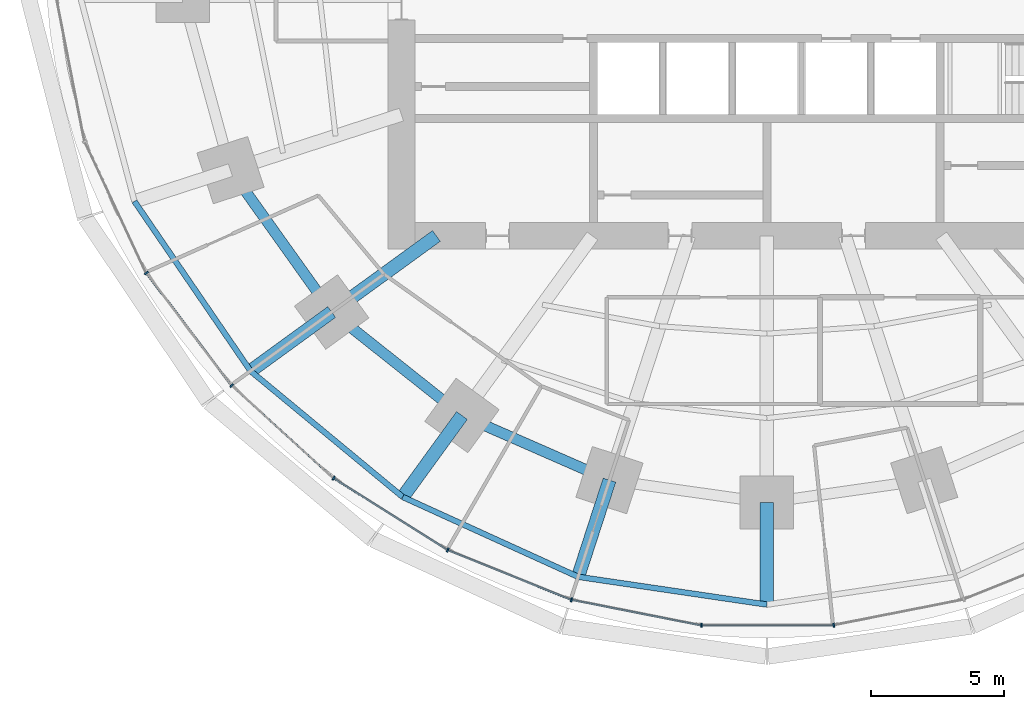
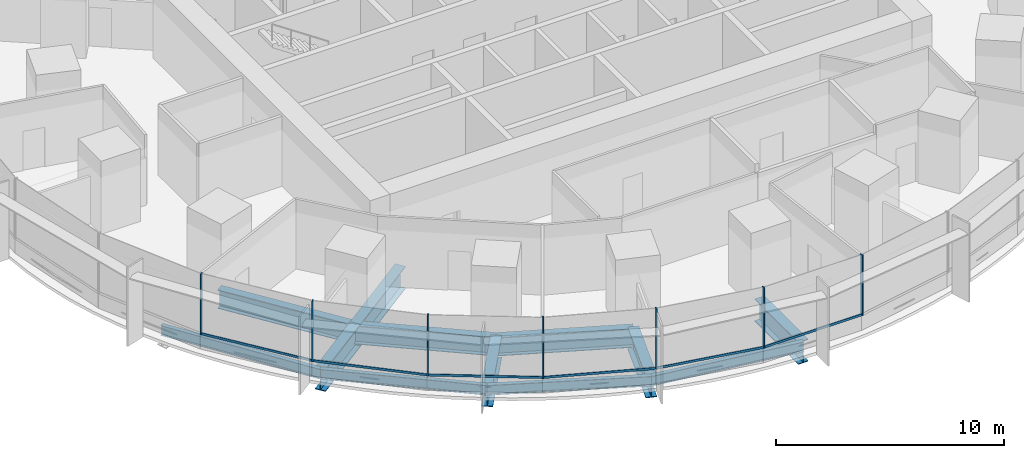
# One storey, part 2 of 15: 13 members, 12 beams, 2 elements without a shape of their own.
"""IFC4 building model written with IfcOpenShell, lengths in metres."""

from ifc_helpers import new_model, si_unit, direction, frame, origin, origin_2d, place, context, subcontext, project, spatial, rectangle, i_section, extrude, material, material_profile, profile_set, type_object, element, aggregate, save


model = new_model("IFC4")

# Units and contexts
model_context = context("Model", 3, precision=1e-05, world=origin(), true_north=direction((0.0, 1.0)))
body_context = subcontext(model_context, "Body", "Model", "MODEL_VIEW")
ifc_project = project(units=[si_unit("LENGTHUNIT", "METRE"), si_unit("AREAUNIT", "SQUARE_METRE"), si_unit("VOLUMEUNIT", "CUBIC_METRE"), si_unit("PLANEANGLEUNIT", "RADIAN"), si_unit("MASSUNIT", "GRAM", prefix="KILO")], contexts=[model_context])

# Site, building, storey
site_placement = place(None, origin())
site = spatial("IfcSite", under=ifc_project, at=site_placement, CompositionType="ELEMENT")
building_placement = place(site_placement, origin())
building = spatial("IfcBuilding", under=site, at=building_placement, Name="Marramba Exchange Tower", CompositionType="ELEMENT")
storey_placement = place(building_placement, frame((0.0, 0.0, 61.60009765625)))
storey = spatial("IfcBuildingStorey", under=building, at=storey_placement, Name="L14", CompositionType="ELEMENT", Elevation=61.60009765625)

# Beams
ifc_material_1 = material(Name="Steel AS/NZS 3679.2 grade 300", Category="steel")
ifc_material_profile_1 = material_profile(ifc_material_1, i_section(OverallWidth=0.5, OverallDepth=1.199951171875, WebThickness=0.01611328125, FlangeThickness=0.0400390625, at=origin_2d()), Name="1200WB455")
ifc_profile_set_1 = profile_set([ifc_material_profile_1], Name="Steel AS/NZS 3679.2 grade 300")
beam_type_1 = type_object("IfcBeamType", Name="Cantilever girder 1200WB455", PredefinedType="BEAM", material=ifc_profile_set_1)
beam_1_placement = place(storey_placement, frame((-16.3154296875, -11.853759765625, -0.760009765625), z_axis=(-0.809008346081, -0.587797155463, 0.0), x_axis=(0.587797155463, -0.809008346081, 0.0)))
element("IfcBeam", 1, at=beam_1_placement, inside=storey, type_object=beam_type_1, Name="Cantilever girder L14 TC13", PredefinedType="BEAM", context=body_context, shape_type="SweptSolid", body=[
    extrude(i_section(OverallWidth=0.5, OverallDepth=1.199951171875, WebThickness=0.01611328125, FlangeThickness=0.0400390625, at=origin_2d()), origin(), (0.0, 0.0, 1.0), 3.76025390625),
])
beam_2_placement = place(storey_placement, frame((-11.430419921875, -15.732666015625, -0.760009765625), z_axis=(-0.587787232741, -0.809015555491, 0.0), x_axis=(0.809015555491, -0.587787232741, 0.0)))
element("IfcBeam", 2, at=beam_2_placement, inside=storey, type_object=beam_type_1, Name="Cantilever girder L14 TC14", PredefinedType="BEAM", context=body_context, shape_type="SweptSolid", body=[
    extrude(i_section(OverallWidth=0.5, OverallDepth=1.199951171875, WebThickness=0.01611328125, FlangeThickness=0.0400390625, at=origin_2d()), origin(), (0.0, 0.0, 1.0), 3.7763671875),
])
beam_3_placement = place(storey_placement, frame((-5.899658203125, -18.156982421875, -0.760009765625), z_axis=(-0.309009272901, -0.951059025119, 0.0), x_axis=(0.951059025119, -0.309009272901, 0.0)))
element("IfcBeam", 3, at=beam_3_placement, inside=storey, type_object=beam_type_1, Name="Cantilever girder L14 TC15", PredefinedType="BEAM", context=body_context, shape_type="SweptSolid", body=[
    extrude(i_section(OverallWidth=0.5, OverallDepth=1.199951171875, WebThickness=0.01611328125, FlangeThickness=0.0400390625, at=origin_2d()), origin(), (0.0, 0.0, 1.0), 3.809814453125),
])
beam_4_placement = place(storey_placement, frame((0.0, -18.99609375, -0.760009765625), z_axis=(0.0, -1.0, 0.0), x_axis=(1.0, 0.0, 0.0)))
element("IfcBeam", 4, at=beam_4_placement, inside=storey, type_object=beam_type_1, Name="Cantilever girder L14 TC16", PredefinedType="BEAM", context=body_context, shape_type="SweptSolid", body=[
    extrude(i_section(OverallWidth=0.5, OverallDepth=1.199951171875, WebThickness=0.01611328125, FlangeThickness=0.0400390625, at=origin_2d()), origin(), (0.0, 0.0, 1.0), 3.825927734375),
])
ifc_material_profile_2 = material_profile(ifc_material_1, i_section(OverallWidth=0.5, OverallDepth=1.199951171875, WebThickness=0.01611328125, FlangeThickness=0.0400390625, at=origin_2d()), Name="1200WB455")
ifc_profile_set_2 = profile_set([ifc_material_profile_2], Name="Steel AS/NZS 3679.2 grade 300")
beam_type_2 = type_object("IfcBeamType", Name="Radial girder 1200WB455", PredefinedType="BEAM", material=ifc_profile_set_2)
beam_5_placement = place(storey_placement, frame((-12.387451171875, -9.0, -0.760009765625), z_axis=(-0.809025189606, -0.58777397236, 0.0), x_axis=(0.58777397236, -0.809025189606, 0.0)))
element("IfcBeam", 5, at=beam_5_placement, inside=storey, type_object=beam_type_2, Name="Radial girder L14 TC13", PredefinedType="BEAM", context=body_context, shape_type="SweptSolid", body=[
    extrude(i_section(OverallWidth=0.5, OverallDepth=1.199951171875, WebThickness=0.01611328125, FlangeThickness=0.0400390625, at=origin_2d()), origin(), (0.0, 0.0, 1.0), 4.855224609375),
])
ifc_material_profile_3 = material_profile(ifc_material_1, i_section(OverallWidth=0.39990234375, OverallDepth=1.0, WebThickness=0.01611328125, FlangeThickness=0.031982421875, at=origin_2d()), Name="1000WB322")
ifc_profile_set_3 = profile_set([ifc_material_profile_3], Name="Steel AS/NZS 3679.2 grade 300")
beam_type_3 = type_object("IfcBeamType", Name="Ring beam 1000WB322", PredefinedType="SPANDREL", material=ifc_profile_set_3)
beam_6_placement = place(storey_placement, frame((-20.109375, -6.533935546875, -0.66015625), z_axis=(0.580637181111, -0.814162430914, 0.0), x_axis=(0.814162430914, 0.580637181111, 0.0)))
element("IfcBeam", 6, at=beam_6_placement, inside=storey, type_object=beam_type_3, Name="Ring beam L14 TC12-TC13", PredefinedType="SPANDREL", context=body_context, shape_type="SweptSolid", body=[
    extrude(i_section(OverallWidth=0.39990234375, OverallDepth=1.0, WebThickness=0.01611328125, FlangeThickness=0.031982421875, at=origin_2d()), origin(), (0.0, 0.0, 1.0), 6.5341796875),
])
beam_7_placement = place(storey_placement, frame((-16.3154296875, -11.853759765625, -0.66015625), z_axis=(0.783139438128, -0.621846138887, 0.0), x_axis=(0.621846138887, 0.783139438128, 0.0)))
element("IfcBeam", 7, at=beam_7_placement, inside=storey, type_object=beam_type_3, Name="Ring beam L14 TC13-TC14", PredefinedType="SPANDREL", context=body_context, shape_type="SweptSolid", body=[
    extrude(i_section(OverallWidth=0.39990234375, OverallDepth=1.0, WebThickness=0.01611328125, FlangeThickness=0.031982421875, at=origin_2d()), origin(), (0.0, 0.0, 1.0), 6.23779296875),
])
beam_8_placement = place(storey_placement, frame((-11.430419921875, -15.732666015625, -0.66015625), z_axis=(0.915876892158, -0.4014592363, 0.0), x_axis=(0.4014592363, 0.915876892158, 0.0)))
element("IfcBeam", 8, at=beam_8_placement, inside=storey, type_object=beam_type_3, Name="Ring beam L14 TC14-TC15", PredefinedType="SPANDREL", context=body_context, shape_type="SweptSolid", body=[
    extrude(i_section(OverallWidth=0.39990234375, OverallDepth=1.0, WebThickness=0.01611328125, FlangeThickness=0.031982421875, at=origin_2d()), origin(), (0.0, 0.0, 1.0), 6.038818359375),
])
ifc_material_2 = material(Name="Steel AS/NZS 3679.1 grade 300", Category="steel")
ifc_material_profile_4 = material_profile(ifc_material_2, i_section(OverallWidth=0.208984375, OverallDepth=0.528076171875, WebThickness=0.009521484375, FlangeThickness=0.01318359375, FilletRadius=0.013916015625, at=origin_2d()), Name="530UB82.0")
ifc_profile_set_4 = profile_set([ifc_material_profile_4], Name="Steel AS/NZS 3679.1 grade 300")
beam_type_4 = type_object("IfcBeamType", Name="Slab edge beam 530UB82.0", PredefinedType="SPANDREL", material=ifc_profile_set_4)
beam_9_placement = place(storey_placement, frame((-23.709716796875, -7.703857421875, -0.424072265625), z_axis=(0.564740697285, -0.82526840775, 0.0), x_axis=(0.82526840775, 0.564740697285, 0.0)))
element("IfcBeam", 9, at=beam_9_placement, inside=storey, type_object=beam_type_4, Name="Slab edge beam L14 TC12-TC13", PredefinedType="SPANDREL", context=body_context, shape_type="SweptSolid", body=[
    extrude(i_section(OverallWidth=0.208984375, OverallDepth=0.528076171875, WebThickness=0.009521484375, FlangeThickness=0.01318359375, FilletRadius=0.013916015625, at=origin_2d()), origin(), (0.0, 0.0, 1.0), 7.706787109375),
])
beam_10_placement = place(storey_placement, frame((-19.357421875, -14.06396484375, -0.424072265625), z_axis=(0.770353575372, -0.637616945283, 0.0), x_axis=(0.637616945283, 0.770353575372, 0.0)))
element("IfcBeam", 10, at=beam_10_placement, inside=storey, type_object=beam_type_4, Name="Slab edge beam L14 TC13-TC14", PredefinedType="SPANDREL", context=body_context, shape_type="SweptSolid", body=[
    extrude(i_section(OverallWidth=0.208984375, OverallDepth=0.528076171875, WebThickness=0.009521484375, FlangeThickness=0.01318359375, FilletRadius=0.013916015625, at=origin_2d()), origin(), (0.0, 0.0, 1.0), 7.40869140625),
])
beam_11_placement = place(storey_placement, frame((-13.650146484375, -18.787841796875, -0.424072265625), z_axis=(0.910126690081, -0.414330071324, 0.0), x_axis=(0.414330071324, 0.910126690081, 0.0)))
element("IfcBeam", 11, at=beam_11_placement, inside=storey, type_object=beam_type_4, Name="Slab edge beam L14 TC14-TC15", PredefinedType="SPANDREL", context=body_context, shape_type="SweptSolid", body=[
    extrude(i_section(OverallWidth=0.208984375, OverallDepth=0.528076171875, WebThickness=0.009521484375, FlangeThickness=0.01318359375, FilletRadius=0.013916015625, at=origin_2d()), origin(), (0.0, 0.0, 1.0), 7.222412109375),
])
beam_12_placement = place(storey_placement, frame((-7.076904296875, -21.7802734375, -0.424072265625), z_axis=(0.989338462178, -0.145634498848, 0.0), x_axis=(0.145634498848, 0.989338462178, 0.0)))
element("IfcBeam", 12, at=beam_12_placement, inside=storey, type_object=beam_type_4, Name="Slab edge beam L14 TC15-TC16", PredefinedType="SPANDREL", context=body_context, shape_type="SweptSolid", body=[
    extrude(i_section(OverallWidth=0.208984375, OverallDepth=0.528076171875, WebThickness=0.009521484375, FlangeThickness=0.01318359375, FilletRadius=0.013916015625, at=origin_2d()), origin(), (0.0, 0.0, 1.0), 7.153076171875),
])

# Curtain wall, members
ifc_material_3 = material(Name="Aluminium framing, bronze anodised", Category="aluminium")
curtain_wall_type = type_object("IfcCurtainWallType", Name="Trading floor ribbon curtain wall", PredefinedType="USERDEFINED", material=ifc_material_3)
curtain_wall_1_placement = place(storey_placement, origin())
curtain_wall_1 = element("IfcCurtainWall", 13, at=curtain_wall_1_placement, inside=storey, type_object=curtain_wall_type, Name="Curtain wall CW3 L14 F16-F20", ObjectType="RIBBON CURTAIN WALL", PredefinedType="USERDEFINED")
ifc_material_4 = material(Name="Aluminium mullion, bronze anodised", Category="aluminium")
ifc_material_profile_5 = material_profile(ifc_material_4, rectangle(XDim=0.159912109375, YDim=0.06005859375, at=origin_2d()), Name="CW3 mullion 60x160")
ifc_profile_set_5 = profile_set([ifc_material_profile_5], Name="Aluminium mullion, bronze anodised")
member_type_1 = type_object("IfcMemberType", Name="Trading floor ribbon curtain wall mullion", PredefinedType="MULLION", material=ifc_profile_set_5)
member_1_placement = place(storey_placement, frame((-23.26318359375, -10.389404296875, 0.7998046875), z_axis=(0.0, 0.0, 1.0), x_axis=(0.797710591138, 0.603040473588, 0.0)))
member_1 = element("IfcMember", 14, at=member_1_placement, type_object=member_type_1, Name="CW3 mullion 1", PredefinedType="MULLION", context=body_context, shape_type="SweptSolid", body=[
    extrude(rectangle(XDim=0.159912109375, YDim=0.06005859375, at=origin_2d()), origin(), (0.0, 0.0, 1.0), 3.239990234375),
])
member_2_placement = place(storey_placement, frame((-20.063232421875, -14.61328125, 0.7998046875), z_axis=(0.0, 0.0, 1.0), x_axis=(0.673058133441, 0.739589581463, 0.0)))
member_2 = element("IfcMember", 15, at=member_2_placement, type_object=member_type_1, Name="CW3 mullion 1", PredefinedType="MULLION", context=body_context, shape_type="SweptSolid", body=[
    extrude(rectangle(XDim=0.159912109375, YDim=0.06005859375, at=origin_2d()), origin(), (0.0, 0.0, 1.0), 3.239990234375),
])
member_3_placement = place(storey_placement, frame((-16.242431640625, -18.083251953125, 0.7998046875), z_axis=(0.0, 0.0, 1.0), x_axis=(0.533514646612, 0.845790826298, 0.0)))
member_3 = element("IfcMember", 16, at=member_3_placement, type_object=member_type_1, Name="CW3 mullion 1", PredefinedType="MULLION", context=body_context, shape_type="SweptSolid", body=[
    extrude(rectangle(XDim=0.159912109375, YDim=0.06005859375, at=origin_2d()), origin(), (0.0, 0.0, 1.0), 3.239990234375),
])

curtain_wall_2_placement = place(storey_placement, origin())
curtain_wall_2 = element("IfcCurtainWall", 17, at=curtain_wall_2_placement, inside=storey, type_object=curtain_wall_type, Name="Curtain wall CW3 L14 F21-F25", ObjectType="RIBBON CURTAIN WALL", PredefinedType="USERDEFINED")
member_4_placement = place(storey_placement, frame((-11.96142578125, -20.77734375, 0.7998046875), z_axis=(0.0, 0.0, 1.0), x_axis=(0.374218219325, 0.927340673283, 0.0)))
member_4 = element("IfcMember", 18, at=member_4_placement, type_object=member_type_1, Name="CW3 mullion 1", PredefinedType="MULLION", context=body_context, shape_type="SweptSolid", body=[
    extrude(rectangle(XDim=0.159912109375, YDim=0.06005859375, at=origin_2d()), origin(), (0.0, 0.0, 1.0), 3.239990234375),
])
member_5_placement = place(storey_placement, frame((-7.325439453125, -22.64208984375, 0.7998046875), z_axis=(0.0, 0.0, 1.0), x_axis=(0.193961202977, 0.98100920064, 0.0)))
member_5 = element("IfcMember", 19, at=member_5_placement, type_object=member_type_1, Name="CW3 mullion 1", PredefinedType="MULLION", context=body_context, shape_type="SweptSolid", body=[
    extrude(rectangle(XDim=0.159912109375, YDim=0.06005859375, at=origin_2d()), origin(), (0.0, 0.0, 1.0), 3.239990234375),
])
member_6_placement = place(storey_placement, frame((-2.450439453125, -23.599853515625, 0.7998046875), z_axis=(0.0, 0.0, 1.0), x_axis=(0.0, 1.0, 0.0)))
member_6 = element("IfcMember", 20, at=member_6_placement, type_object=member_type_1, Name="CW3 mullion 1", PredefinedType="MULLION", context=body_context, shape_type="SweptSolid", body=[
    extrude(rectangle(XDim=0.159912109375, YDim=0.06005859375, at=origin_2d()), origin(), (0.0, 0.0, 1.0), 3.239990234375),
])
member_7_placement = place(storey_placement, frame((2.509765625, -23.59423828125, 0.7998046875), z_axis=(0.0, 0.0, 1.0), x_axis=(-0.193961202977, 0.98100920064, 0.0)))
member_7 = element("IfcMember", 21, at=member_7_placement, type_object=member_type_1, Name="CW3 mullion 1", PredefinedType="MULLION", context=body_context, shape_type="SweptSolid", body=[
    extrude(rectangle(XDim=0.159912109375, YDim=0.06005859375, at=origin_2d()), origin(), (0.0, 0.0, 1.0), 3.239990234375),
])

# Member
ifc_material_5 = material(Name="Aluminium transom, bronze anodised", Category="aluminium")
ifc_material_profile_6 = material_profile(ifc_material_5, rectangle(XDim=0.06005859375, YDim=0.1201171875, at=origin_2d()), Name="CW3 transom 60x120")
ifc_profile_set_6 = profile_set([ifc_material_profile_6], Name="Aluminium transom, bronze anodised")
member_type_2 = type_object("IfcMemberType", Name="Trading floor ribbon curtain wall transom", PredefinedType="USERDEFINED", material=ifc_profile_set_6)
member_8_placement = place(storey_placement, frame((-23.2451171875, -10.413330078125, 0.829833984375), z_axis=(0.603037409419, -0.797712907531, 0.0), x_axis=(0.797712907531, 0.603037409419, 0.0)))
member_8 = element("IfcMember", 22, at=member_8_placement, type_object=member_type_2, Name="CW3 sill transom", ObjectType="TRANSOM", PredefinedType="USERDEFINED", context=body_context, shape_type="SweptSolid", body=[
    extrude(rectangle(XDim=0.06005859375, YDim=0.1201171875, at=origin_2d()), origin(), (0.0, 0.0, 1.0), 5.239501953125),
])

member_9_placement = place(storey_placement, frame((-20.041015625, -14.63330078125, 0.829833984375), z_axis=(0.739582688456, -0.673065707741, 0.0), x_axis=(0.673065707741, 0.739582688456, 0.0)))
member_9 = element("IfcMember", 23, at=member_9_placement, type_object=member_type_2, Name="CW3 sill transom", ObjectType="TRANSOM", PredefinedType="USERDEFINED", context=body_context, shape_type="SweptSolid", body=[
    extrude(rectangle(XDim=0.06005859375, YDim=0.1201171875, at=origin_2d()), origin(), (0.0, 0.0, 1.0), 5.101806640625),
])

member_10_placement = place(storey_placement, frame((-16.217041015625, -18.09912109375, 0.829833984375), z_axis=(0.845776602594, -0.533537195053, 0.0), x_axis=(0.533537195053, 0.845776602594, 0.0)))
member_10 = element("IfcMember", 24, at=member_10_placement, type_object=member_type_2, Name="CW3 sill transom", ObjectType="TRANSOM", PredefinedType="USERDEFINED", context=body_context, shape_type="SweptSolid", body=[
    extrude(rectangle(XDim=0.06005859375, YDim=0.1201171875, at=origin_2d()), origin(), (0.0, 0.0, 1.0), 4.998779296875),
])

aggregate(curtain_wall_1, [member_1, member_8, member_2, member_9, member_3, member_10])

member_11_placement = place(storey_placement, frame((-11.93359375, -20.78857421875, 0.829833984375), z_axis=(0.927340197166, -0.374219399176, 0.0), x_axis=(0.374219399176, 0.927340197166, 0.0)))
member_11 = element("IfcMember", 25, at=member_11_placement, type_object=member_type_2, Name="CW3 sill transom", ObjectType="TRANSOM", PredefinedType="USERDEFINED", context=body_context, shape_type="SweptSolid", body=[
    extrude(rectangle(XDim=0.06005859375, YDim=0.1201171875, at=origin_2d()), origin(), (0.0, 0.0, 1.0), 4.937255859375),
])

member_12_placement = place(storey_placement, frame((-7.296142578125, -22.64794921875, 0.829833984375), z_axis=(0.981018169547, -0.193915834883, 0.0), x_axis=(0.193915834883, 0.981018169547, 0.0)))
member_12 = element("IfcMember", 26, at=member_12_placement, type_object=member_type_2, Name="CW3 sill transom", ObjectType="TRANSOM", PredefinedType="USERDEFINED", context=body_context, shape_type="SweptSolid", body=[
    extrude(rectangle(XDim=0.06005859375, YDim=0.1201171875, at=origin_2d()), origin(), (0.0, 0.0, 1.0), 4.908935546875),
])

member_13_placement = place(storey_placement, frame((-2.42041015625, -23.599853515625, 0.829833984375), z_axis=(1.0, 0.0, 0.0), x_axis=(0.0, 1.0, 0.0)))
member_13 = element("IfcMember", 27, at=member_13_placement, type_object=member_type_2, Name="CW3 sill transom", ObjectType="TRANSOM", PredefinedType="USERDEFINED", context=body_context, shape_type="SweptSolid", body=[
    extrude(rectangle(XDim=0.06005859375, YDim=0.1201171875, at=origin_2d()), origin(), (0.0, 0.0, 1.0), 4.90087890625),
])

aggregate(curtain_wall_2, [member_4, member_11, member_5, member_12, member_6, member_13, member_7])

save(model, "model.ifc")
